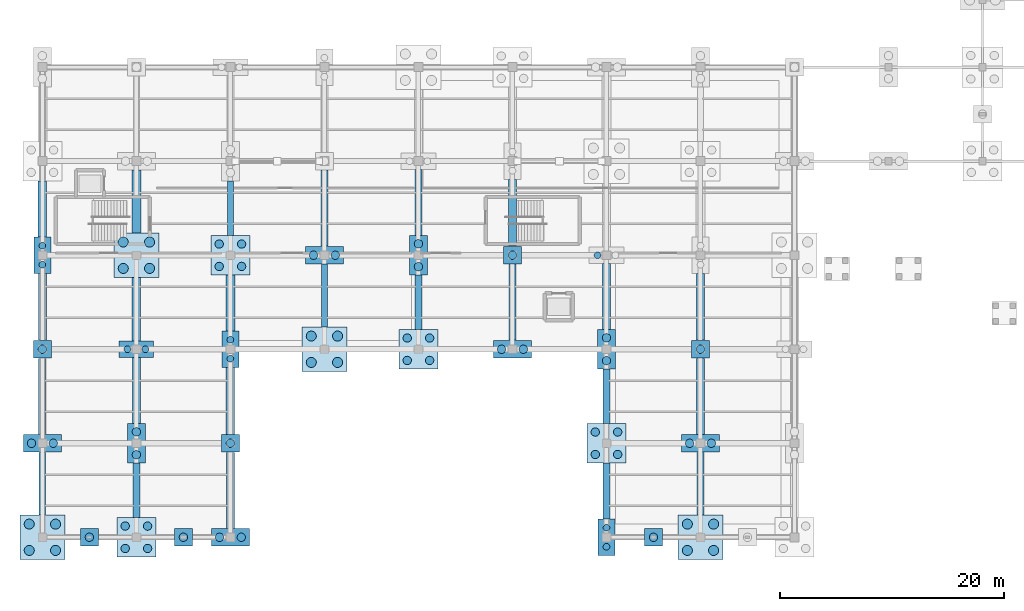
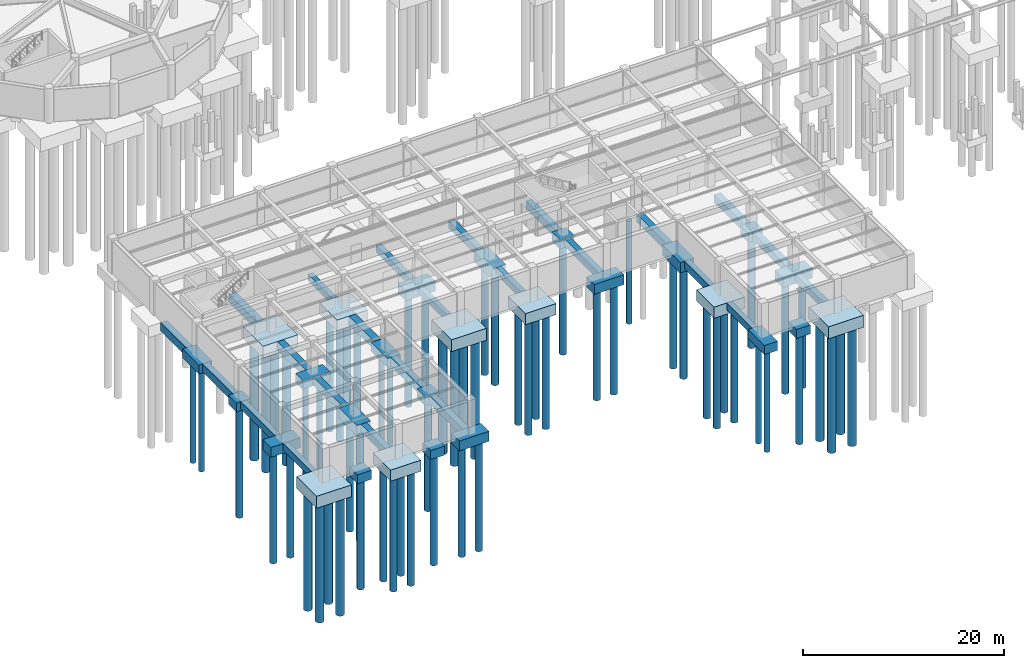
# One storey, part 1 of 38: 64 piles, 51 footings.
"""IFC4 building model written with IfcOpenShell, lengths in metres."""

import ifcopenshell
import ifcopenshell.guid

model = None  # the IFC model being written
_history = None  # IfcOwnerHistory: only IFC2X3 demands one
_inside = {}  # id of a spatial element -> (the spatial element, [elements in it])
_under = {}  # id of a project, library or spatial element -> (it, [spatial elements below it])
_declared = {}  # id of a project -> (the project, [libraries it declares])
_typed = {}  # id of a type object -> (the type object, [elements of that type])
_made_of = {}  # id of a material, layer set ... -> (it, [elements and type objects made of it])


def new_model(schema):
    """Start an empty IFC model of exactly this schema.

    Asked for "IFC4X3", IfcOpenShell would pick the latest addendum, in which some entities
    have other attributes; the version numbers below select the first issue.
    IFC2X3 requires an IfcOwnerHistory on every rooted entity: one is made here for all.
    """
    global model, _history
    if schema == "IFC4X3":
        model = ifcopenshell.file(schema_version=(4, 3, 0, 0))
    else:
        model = ifcopenshell.file(schema=schema)
    _inside.clear()
    _under.clear()
    _declared.clear()
    _typed.clear()
    _made_of.clear()
    _history = None
    if model.schema == "IFC2X3":
        org = make("IfcOrganization", Name="unknown")
        user = make(
            "IfcPersonAndOrganization",
            ThePerson=make("IfcPerson", FamilyName="unknown"),
            TheOrganization=org,
        )
        app = make(
            "IfcApplication",
            ApplicationDeveloper=org,
            Version="unknown",
            ApplicationFullName="unknown",
            ApplicationIdentifier="unknown",
        )
        _history = make(
            "IfcOwnerHistory",
            OwningUser=user,
            OwningApplication=app,
            ChangeAction="ADDED",
            CreationDate=0,
        )
    return model


def make(cls, **values):
    """One entity of the class cls with the attributes given. An attribute that is None is left unset."""
    return model.create_entity(
        cls, **{name: value for name, value in values.items() if value is not None}
    )


def rooted(cls, **values):
    """An entity with a GlobalId (a new one), such as an element, a storey or a relation."""
    return make(cls, GlobalId=ifcopenshell.guid.new(), OwnerHistory=_history, **values)


def si_unit(unit_type, name, prefix=None):
    """IfcSIUnit, for example si_unit("LENGTHUNIT", "METRE", prefix="MILLI")."""
    return make("IfcSIUnit", UnitType=unit_type, Prefix=prefix, Name=name)


def assignment(units):
    """IfcUnitAssignment: the units of a project."""
    return None if units is None else make("IfcUnitAssignment", Units=units)


def point(xyz):
    """IfcCartesianPoint."""
    return None if xyz is None else make("IfcCartesianPoint", Coordinates=xyz)


def direction(xyz):
    """IfcDirection."""
    return None if xyz is None else make("IfcDirection", DirectionRatios=xyz)


def frame(location, z_axis=None, x_axis=None):
    """IfcAxis2Placement3D, a coordinate frame: its origin and axes. An axis left out is left unset."""
    return make(
        "IfcAxis2Placement3D",
        Location=point(location),
        Axis=direction(z_axis),
        RefDirection=direction(x_axis),
    )


def frame_2d(location, x_axis=None):
    """IfcAxis2Placement2D, a coordinate frame in the plane: its origin and x axis."""
    return make(
        "IfcAxis2Placement2D", Location=point(location), RefDirection=direction(x_axis)
    )


def origin():
    """The frame at (0, 0, 0) with its axes left unset."""
    return frame((0.0, 0.0, 0.0))


def origin_2d():
    """The frame at (0, 0) in the plane with its x axis left unset."""
    return frame_2d((0.0, 0.0))


def place(relative_to, where):
    """IfcLocalPlacement: puts the frame where relative to a parent placement (None: the world)."""
    return make(
        "IfcLocalPlacement", PlacementRelTo=relative_to, RelativePlacement=where
    )


def context(
    kind, dimensions, precision=None, world=None, true_north=None, identifier=None
):
    """IfcGeometricRepresentationContext, for example the 3D "Model" context."""
    return make(
        "IfcGeometricRepresentationContext",
        ContextIdentifier=identifier,
        ContextType=kind,
        CoordinateSpaceDimension=dimensions,
        Precision=precision,
        WorldCoordinateSystem=world,
        TrueNorth=true_north,
    )


def subcontext(parent, identifier, kind, view, scale=None):
    """IfcGeometricRepresentationSubContext, for example "Body" below "Model"."""
    return make(
        "IfcGeometricRepresentationSubContext",
        ContextIdentifier=identifier,
        ContextType=kind,
        ParentContext=parent,
        TargetScale=scale,
        TargetView=view,
    )


def project(units=None, contexts=None):
    """IfcProject with its units and contexts."""
    return rooted(
        "IfcProject",
        Name="project",
        RepresentationContexts=contexts,
        UnitsInContext=assignment(units),
    )


def spatial(cls, under=None, at=None, **own):
    """A site, building, storey or space (cls), placed at a placement, below another one or the project."""
    s = rooted(cls, ObjectPlacement=at, **own)
    if under is not None:
        _under.setdefault(under.id(), (under, []))[1].append(s)
    return s


def polyline(points):
    """IfcPolyline through the points."""
    return make("IfcPolyline", Points=[point(p) for p in points])


def profile(cls, at=None, kind="AREA", **sizes):
    """A parametric profile (cls). Its sizes go by their IFC names, for example OverallWidth=200.0."""
    return make(cls, ProfileType=kind, Position=at, **sizes)


def rectangle(**sizes):
    """IfcRectangleProfileDef."""
    return profile("IfcRectangleProfileDef", **sizes)


def circle(**sizes):
    """IfcCircleProfileDef."""
    return profile("IfcCircleProfileDef", **sizes)


def outline(outer, holes=None, kind="AREA"):
    """IfcArbitraryClosedProfileDef: a profile drawn as a closed curve; with holes, ...WithVoids."""
    if holes is None:
        return make("IfcArbitraryClosedProfileDef", ProfileType=kind, OuterCurve=outer)
    return make(
        "IfcArbitraryProfileDefWithVoids",
        ProfileType=kind,
        OuterCurve=outer,
        InnerCurves=holes,
    )


def extrude(swept, where, along, depth):
    """IfcExtrudedAreaSolid: the profile swept, set in the frame where, extruded along a direction by depth."""
    return make(
        "IfcExtrudedAreaSolid",
        SweptArea=swept,
        Position=where,
        ExtrudedDirection=direction(along),
        Depth=depth,
    )


def shape(context_of_items, identifier, shape_type, items):
    """IfcShapeRepresentation: the items that make up one representation, for example the "Body"."""
    return make(
        "IfcShapeRepresentation",
        ContextOfItems=context_of_items,
        RepresentationIdentifier=identifier,
        RepresentationType=shape_type,
        Items=items,
    )


def material(Name=None, Category=None):
    """IfcMaterial."""
    return make("IfcMaterial", Name=Name, Category=Category)


def material_profile(
    of_material, cross_section, Name=None, Category=None, Priority=None
):
    """IfcMaterialProfile: a cross section and its material."""
    return make(
        "IfcMaterialProfile",
        Name=Name,
        Material=of_material,
        Profile=cross_section,
        Priority=Priority,
        Category=Category,
    )


def profile_set(profiles, Name=None, composite=None):
    """IfcMaterialProfileSet."""
    return make(
        "IfcMaterialProfileSet",
        Name=Name,
        MaterialProfiles=profiles,
        CompositeProfile=composite,
    )


def made_of(thing, what):
    """Note that an element or type object is made of a material, layer set ...; save() writes the relation."""
    if what is not None:
        _made_of.setdefault(what.id(), (what, []))[1].append(thing)
    return thing


def type_object(cls, material=None, **own):
    """A type object (cls), such as IfcWallType, which elements share."""
    return made_of(rooted(cls, **own), material)


def element(
    cls,
    number,
    at=None,
    inside=None,
    cuts=None,
    type_object=None,
    material=None,
    context=None,
    identifier="Body",
    shape_type=None,
    held_by="IfcProductDefinitionShape",
    body=None,
    shapes=None,
    **own,
):
    """One element of the class cls, such as IfcWall. Its Tag is "e" and its number.

    at: its placement. inside: the storey or other place that contains it. cuts: it is an
    opening in that element (IfcRelVoidsElement). A single representation is given by context,
    identifier, shape_type and body (its items); several are given by shapes. held_by: the class
    of the entity that holds the representations. save() writes the other relations.
    """
    e = rooted(cls, Tag="e%d" % number, ObjectPlacement=at, **own)
    if body is not None:
        shapes = [shape(context, identifier, shape_type, body)]
    if shapes is not None:
        e.Representation = make(held_by, Representations=shapes)
    if inside is not None:
        _inside.setdefault(inside.id(), (inside, []))[1].append(e)
    if cuts is not None:
        rooted(
            "IfcRelVoidsElement", RelatingBuildingElement=cuts, RelatedOpeningElement=e
        )
    if type_object is not None:
        _typed.setdefault(type_object.id(), (type_object, []))[1].append(e)
    return made_of(e, material)


def aggregate(whole, parts):
    """IfcRelAggregates: a whole, such as a stair, and the parts it consists of."""
    return rooted("IfcRelAggregates", RelatingObject=whole, RelatedObjects=parts)


def save(model, path):
    """Write the relations noted so far, then the file.

    IfcRelAggregates (storeys below a building ...), IfcRelContainedInSpatialStructure (elements
    in a storey), IfcRelDefinesByType, IfcRelAssociatesMaterial and IfcRelDeclares: one each for
    every whole, place, type object, material and project.
    """
    for whole, parts in _under.values():
        aggregate(whole, parts)
    for where, things in _inside.values():
        rooted(
            "IfcRelContainedInSpatialStructure",
            RelatedElements=things,
            RelatingStructure=where,
        )
    for kind, things in _typed.values():
        rooted("IfcRelDefinesByType", RelatedObjects=things, RelatingType=kind)
    for what, things in _made_of.values():
        rooted("IfcRelAssociatesMaterial", RelatedObjects=things, RelatingMaterial=what)
    for by, libraries in _declared.values():
        rooted("IfcRelDeclares", RelatingContext=by, RelatedDefinitions=libraries)
    model.write(path)


model = new_model("IFC4")

# Units and contexts
model_context = context("Model", 3, precision=1e-05, world=origin(), true_north=direction((0.0, 1.0)))
body_context = subcontext(model_context, "Body", "Model", "MODEL_VIEW")
ifc_project = project(units=[si_unit("LENGTHUNIT", "METRE"), si_unit("AREAUNIT", "SQUARE_METRE"), si_unit("VOLUMEUNIT", "CUBIC_METRE"), si_unit("PLANEANGLEUNIT", "RADIAN"), si_unit("MASSUNIT", "GRAM", prefix="KILO"), si_unit("THERMODYNAMICTEMPERATUREUNIT", "KELVIN"), si_unit("POWERUNIT", "WATT")], contexts=[model_context])

# Site, building, storey
site_placement = place(None, origin())
site = spatial("IfcSite", under=ifc_project, at=site_placement, CompositionType="ELEMENT")
building_placement = place(site_placement, origin())
building = spatial("IfcBuilding", under=site, at=building_placement, Name="Darbajah Civic Hall", CompositionType="ELEMENT")
storey_placement = place(building_placement, frame((0.0, 0.0, -4.199951171875)))
storey = spatial("IfcBuildingStorey", under=building, at=storey_placement, Name="B01", CompositionType="ELEMENT", Elevation=-4.199951171875)

# Piles
ifc_material = material(Name="Concrete C45/55", Category="concrete")
ifc_material_profile_1 = material_profile(ifc_material, circle(Radius=0.300048828125, at=origin_2d()), Name="BORED PILE D600")
ifc_profile_set_1 = profile_set([ifc_material_profile_1], Name="Concrete C45/55")
pile_type_1 = type_object("IfcPileType", Name="BORED PILE D600", PredefinedType="BORED", material=ifc_profile_set_1)
for number, where, z_axis, x_axis, name in (
    (1, (0.0, 24.35009765625, -1.0), (0.0, 0.0, -1.0), (1.0, 0.0, 0.0), "B01 bored pile P-600 V5-00-03-1"),
    (2, (0.0, 26.050048828125, -1.0), (0.0, 0.0, -1.0), (1.0, 0.0, 0.0), "B01 bored pile P-600 V5-00-03-2"),
    (3, (7.60009765625, 16.800048828125, -0.949951171875), (0.0, 0.0, -1.0), (1.0, 0.0, 0.0), "B01 bored pile P-600 V5-01-02-1"),
    (4, (9.199951171875, 16.800048828125, -0.949951171875), (0.0, 0.0, -1.0), (1.0, 0.0, 0.0), "B01 bored pile P-600 V5-01-02-2"),
    (5, (16.800048828125, 15.949951171875, -1.0), (0.0, 0.0, -1.0), (1.0, 0.0, 0.0), "B01 bored pile P-600 V5-02-02-1"),
    (6, (16.800048828125, 17.64990234375, -1.0), (0.0, 0.0, -1.0), (1.0, 0.0, 0.0), "B01 bored pile P-600 V5-02-02-2"),
    (7, (50.39990234375, -0.85009765625, -1.0), (0.0, 0.0, -1.0), (1.0, 0.0, 0.0), "B01 bored pile P-600 V5-06-00-1"),
    (8, (50.39990234375, 0.85009765625, -1.0), (0.0, 0.0, -1.0), (1.0, 0.0, 0.0), "B01 bored pile P-600 V5-06-00-2"),
    (9, (49.60009765625, 25.199951171875, -0.949951171875), (0.0, 0.0, -1.0), (1.0, 0.0, 0.0), "B01 bored pile P-600 V5-06-03-1"),
):
    element("IfcPile", number, at=place(storey_placement, frame(where, z_axis=z_axis, x_axis=x_axis)), inside=storey, type_object=pile_type_1, Name=name, PredefinedType="BORED", context=body_context, shape_type="SweptSolid", body=[
        extrude(circle(Radius=0.300048828125, at=origin_2d()), origin(), (0.0, 0.0, 1.0), 12.5),
    ])
ifc_material_profile_2 = material_profile(ifc_material, circle(Radius=0.375, at=origin_2d()), Name="BORED PILE D750")
ifc_profile_set_2 = profile_set([ifc_material_profile_2], Name="Concrete C45/55")
pile_type_2 = type_object("IfcPileType", Name="BORED PILE D750", PredefinedType="BORED", material=ifc_profile_set_2)
for number, where, z_axis, x_axis, name in (
    (10, (-0.97509765625, 8.39990234375, -1.10009765625), (0.0, 0.0, -1.0), (1.0, 0.0, 0.0), "B01 bored pile P-750 V5-00-01-1"),
    (11, (0.97509765625, 8.39990234375, -1.10009765625), (0.0, 0.0, -1.0), (1.0, 0.0, 0.0), "B01 bored pile P-750 V5-00-01-2"),
    (12, (0.0, 16.800048828125, -1.0), (0.0, 0.0, -1.0), (1.0, 0.0, 0.0), "B01 bored pile P-750 V5-00-02-1"),
):
    element("IfcPile", number, at=place(storey_placement, frame(where, z_axis=z_axis, x_axis=x_axis)), inside=storey, type_object=pile_type_2, Name=name, PredefinedType="BORED", context=body_context, shape_type="SweptSolid", body=[
        extrude(circle(Radius=0.375, at=origin_2d()), origin(), (0.0, 0.0, 1.0), 13.5),
    ])
for number, where, z_axis, x_axis, name in (
    (13, (7.39990234375, -1.0, -1.25), (0.0, 0.0, -1.0), (1.0, 0.0, 0.0), "B01 bored pile P-750 V5-01-00-1"),
    (14, (9.39990234375, -1.0, -1.25), (0.0, 0.0, -1.0), (1.0, 0.0, 0.0), "B01 bored pile P-750 V5-01-00-2"),
    (15, (7.39990234375, 1.0, -1.25), (0.0, 0.0, -1.0), (1.0, 0.0, 0.0), "B01 bored pile P-750 V5-01-00-3"),
    (16, (9.39990234375, 1.0, -1.25), (0.0, 0.0, -1.0), (1.0, 0.0, 0.0), "B01 bored pile P-750 V5-01-00-4"),
):
    element("IfcPile", number, at=place(storey_placement, frame(where, z_axis=z_axis, x_axis=x_axis)), inside=storey, type_object=pile_type_2, Name=name, PredefinedType="BORED", context=body_context, shape_type="SweptSolid", body=[
        extrude(circle(Radius=0.375, at=origin_2d()), origin(), (0.0, 0.0, 1.0), 14.0),
    ])
for number, where, z_axis, x_axis, name in (
    (17, (8.39990234375, 7.375, -1.150146484375), (0.0, 0.0, -1.0), (1.0, 0.0, 0.0), "B01 bored pile P-750 V5-01-01-1"),
    (18, (8.39990234375, 9.425048828125, -1.150146484375), (0.0, 0.0, -1.0), (1.0, 0.0, 0.0), "B01 bored pile P-750 V5-01-01-2"),
    (19, (15.824951171875, 0.0, -1.10009765625), (0.0, 0.0, -1.0), (1.0, 0.0, 0.0), "B01 bored pile P-750 V5-02-00-1"),
    (20, (17.77490234375, 0.0, -1.10009765625), (0.0, 0.0, -1.0), (1.0, 0.0, 0.0), "B01 bored pile P-750 V5-02-00-2"),
    (21, (16.800048828125, 8.39990234375, -1.0), (0.0, 0.0, -1.0), (1.0, 0.0, 0.0), "B01 bored pile P-750 V5-02-01-1"),
):
    element("IfcPile", number, at=place(storey_placement, frame(where, z_axis=z_axis, x_axis=x_axis)), inside=storey, type_object=pile_type_2, Name=name, PredefinedType="BORED", context=body_context, shape_type="SweptSolid", body=[
        extrude(circle(Radius=0.375, at=origin_2d()), origin(), (0.0, 0.0, 1.0), 13.5),
    ])
for number, where, z_axis, x_axis, name in (
    (22, (15.800048828125, 24.199951171875, -1.25), (0.0, 0.0, -1.0), (1.0, 0.0, 0.0), "B01 bored pile P-750 V5-02-03-1"),
    (23, (17.800048828125, 24.199951171875, -1.25), (0.0, 0.0, -1.0), (1.0, 0.0, 0.0), "B01 bored pile P-750 V5-02-03-2"),
    (24, (15.800048828125, 26.199951171875, -1.25), (0.0, 0.0, -1.0), (1.0, 0.0, 0.0), "B01 bored pile P-750 V5-02-03-3"),
    (25, (17.800048828125, 26.199951171875, -1.25), (0.0, 0.0, -1.0), (1.0, 0.0, 0.0), "B01 bored pile P-750 V5-02-03-4"),
):
    element("IfcPile", number, at=place(storey_placement, frame(where, z_axis=z_axis, x_axis=x_axis)), inside=storey, type_object=pile_type_2, Name=name, PredefinedType="BORED", context=body_context, shape_type="SweptSolid", body=[
        extrude(circle(Radius=0.375, at=origin_2d()), origin(), (0.0, 0.0, 1.0), 14.0),
    ])
for number, where, z_axis, x_axis, name in (
    (26, (24.22509765625, 25.199951171875, -1.10009765625), (0.0, 0.0, -1.0), (1.0, 0.0, 0.0), "B01 bored pile P-750 V5-03-03-1"),
    (27, (26.175048828125, 25.199951171875, -1.10009765625), (0.0, 0.0, -1.0), (1.0, 0.0, 0.0), "B01 bored pile P-750 V5-03-03-2"),
):
    element("IfcPile", number, at=place(storey_placement, frame(where, z_axis=z_axis, x_axis=x_axis)), inside=storey, type_object=pile_type_2, Name=name, PredefinedType="BORED", context=body_context, shape_type="SweptSolid", body=[
        extrude(circle(Radius=0.375, at=origin_2d()), origin(), (0.0, 0.0, 1.0), 13.5),
    ])
for number, where, z_axis, x_axis, name in (
    (28, (32.60009765625, 15.800048828125, -1.25), (0.0, 0.0, -1.0), (1.0, 0.0, 0.0), "B01 bored pile P-750 V5-04-02-1"),
    (29, (34.60009765625, 15.800048828125, -1.25), (0.0, 0.0, -1.0), (1.0, 0.0, 0.0), "B01 bored pile P-750 V5-04-02-2"),
    (30, (32.60009765625, 17.800048828125, -1.25), (0.0, 0.0, -1.0), (1.0, 0.0, 0.0), "B01 bored pile P-750 V5-04-02-3"),
    (31, (34.60009765625, 17.800048828125, -1.25), (0.0, 0.0, -1.0), (1.0, 0.0, 0.0), "B01 bored pile P-750 V5-04-02-4"),
):
    element("IfcPile", number, at=place(storey_placement, frame(where, z_axis=z_axis, x_axis=x_axis)), inside=storey, type_object=pile_type_2, Name=name, PredefinedType="BORED", context=body_context, shape_type="SweptSolid", body=[
        extrude(circle(Radius=0.375, at=origin_2d()), origin(), (0.0, 0.0, 1.0), 14.0),
    ])
for number, where, z_axis, x_axis, name in (
    (32, (33.60009765625, 24.175048828125, -1.150146484375), (0.0, 0.0, -1.0), (1.0, 0.0, 0.0), "B01 bored pile P-750 V5-04-03-1"),
    (33, (33.60009765625, 26.22509765625, -1.150146484375), (0.0, 0.0, -1.0), (1.0, 0.0, 0.0), "B01 bored pile P-750 V5-04-03-2"),
    (34, (41.02490234375, 16.800048828125, -1.10009765625), (0.0, 0.0, -1.0), (1.0, 0.0, 0.0), "B01 bored pile P-750 V5-05-02-1"),
    (35, (42.97509765625, 16.800048828125, -1.10009765625), (0.0, 0.0, -1.0), (1.0, 0.0, 0.0), "B01 bored pile P-750 V5-05-02-2"),
    (36, (42.0, 25.199951171875, -1.0), (0.0, 0.0, -1.0), (1.0, 0.0, 0.0), "B01 bored pile P-750 V5-05-03-1"),
):
    element("IfcPile", number, at=place(storey_placement, frame(where, z_axis=z_axis, x_axis=x_axis)), inside=storey, type_object=pile_type_2, Name=name, PredefinedType="BORED", context=body_context, shape_type="SweptSolid", body=[
        extrude(circle(Radius=0.375, at=origin_2d()), origin(), (0.0, 0.0, 1.0), 13.5),
    ])
for number, where, z_axis, x_axis, name in (
    (37, (49.39990234375, 7.39990234375, -1.25), (0.0, 0.0, -1.0), (1.0, 0.0, 0.0), "B01 bored pile P-750 V5-06-01-1"),
    (38, (51.39990234375, 7.39990234375, -1.25), (0.0, 0.0, -1.0), (1.0, 0.0, 0.0), "B01 bored pile P-750 V5-06-01-2"),
    (39, (49.39990234375, 9.39990234375, -1.25), (0.0, 0.0, -1.0), (1.0, 0.0, 0.0), "B01 bored pile P-750 V5-06-01-3"),
    (40, (51.39990234375, 9.39990234375, -1.25), (0.0, 0.0, -1.0), (1.0, 0.0, 0.0), "B01 bored pile P-750 V5-06-01-4"),
):
    element("IfcPile", number, at=place(storey_placement, frame(where, z_axis=z_axis, x_axis=x_axis)), inside=storey, type_object=pile_type_2, Name=name, PredefinedType="BORED", context=body_context, shape_type="SweptSolid", body=[
        extrude(circle(Radius=0.375, at=origin_2d()), origin(), (0.0, 0.0, 1.0), 14.0),
    ])
for number, where, z_axis, x_axis, name in (
    (41, (50.39990234375, 15.77490234375, -1.150146484375), (0.0, 0.0, -1.0), (1.0, 0.0, 0.0), "B01 bored pile P-750 V5-06-02-1"),
    (42, (50.39990234375, 17.824951171875, -1.150146484375), (0.0, 0.0, -1.0), (1.0, 0.0, 0.0), "B01 bored pile P-750 V5-06-02-2"),
    (43, (57.824951171875, 8.39990234375, -1.10009765625), (0.0, 0.0, -1.0), (1.0, 0.0, 0.0), "B01 bored pile P-750 V5-07-01-1"),
    (44, (59.77490234375, 8.39990234375, -1.10009765625), (0.0, 0.0, -1.0), (1.0, 0.0, 0.0), "B01 bored pile P-750 V5-07-01-2"),
    (45, (58.800048828125, 16.800048828125, -1.0), (0.0, 0.0, -1.0), (1.0, 0.0, 0.0), "B01 bored pile P-750 V5-07-02-1"),
    (46, (4.199951171875, 0.0, -1.0), (0.0, 0.0, -1.0), (1.0, 0.0, 0.0), "B01 bored pile PIL-V5S-1"),
    (47, (12.60009765625, 0.0, -1.0), (0.0, 0.0, -1.0), (1.0, 0.0, 0.0), "B01 bored pile PIL-V5S-2"),
    (48, (54.60009765625, 0.0, -1.0), (0.0, 0.0, -1.0), (1.0, 0.0, 0.0), "B01 bored pile PIL-V5S-3"),
):
    element("IfcPile", number, at=place(storey_placement, frame(where, z_axis=z_axis, x_axis=x_axis)), inside=storey, type_object=pile_type_2, Name=name, PredefinedType="BORED", context=body_context, shape_type="SweptSolid", body=[
        extrude(circle(Radius=0.375, at=origin_2d()), origin(), (0.0, 0.0, 1.0), 13.5),
    ])
ifc_material_profile_3 = material_profile(ifc_material, circle(Radius=0.449951171875, at=origin_2d()), Name="BORED PILE D900")
ifc_profile_set_3 = profile_set([ifc_material_profile_3], Name="Concrete C45/55")
pile_type_3 = type_object("IfcPileType", Name="BORED PILE D900", PredefinedType="BORED", material=ifc_profile_set_3)
for number, where, z_axis, x_axis, name in (
    (49, (-1.175048828125, -1.175048828125, -1.35009765625), (0.0, 0.0, -1.0), (1.0, 0.0, 0.0), "B01 bored pile P-900 V5-00-00-1"),
    (50, (1.175048828125, -1.175048828125, -1.35009765625), (0.0, 0.0, -1.0), (1.0, 0.0, 0.0), "B01 bored pile P-900 V5-00-00-2"),
    (51, (-1.175048828125, 1.175048828125, -1.35009765625), (0.0, 0.0, -1.0), (1.0, 0.0, 0.0), "B01 bored pile P-900 V5-00-00-3"),
    (52, (1.175048828125, 1.175048828125, -1.35009765625), (0.0, 0.0, -1.0), (1.0, 0.0, 0.0), "B01 bored pile P-900 V5-00-00-4"),
    (53, (7.22509765625, 24.02490234375, -1.35009765625), (0.0, 0.0, -1.0), (1.0, 0.0, 0.0), "B01 bored pile P-900 V5-01-03-1"),
    (54, (9.574951171875, 24.02490234375, -1.35009765625), (0.0, 0.0, -1.0), (1.0, 0.0, 0.0), "B01 bored pile P-900 V5-01-03-2"),
    (55, (7.22509765625, 26.375, -1.35009765625), (0.0, 0.0, -1.0), (1.0, 0.0, 0.0), "B01 bored pile P-900 V5-01-03-3"),
    (56, (9.574951171875, 26.375, -1.35009765625), (0.0, 0.0, -1.0), (1.0, 0.0, 0.0), "B01 bored pile P-900 V5-01-03-4"),
    (57, (24.02490234375, 15.625, -1.35009765625), (0.0, 0.0, -1.0), (1.0, 0.0, 0.0), "B01 bored pile P-900 V5-03-02-1"),
    (58, (26.375, 15.625, -1.35009765625), (0.0, 0.0, -1.0), (1.0, 0.0, 0.0), "B01 bored pile P-900 V5-03-02-2"),
    (59, (24.02490234375, 17.97509765625, -1.35009765625), (0.0, 0.0, -1.0), (1.0, 0.0, 0.0), "B01 bored pile P-900 V5-03-02-3"),
    (60, (26.375, 17.97509765625, -1.35009765625), (0.0, 0.0, -1.0), (1.0, 0.0, 0.0), "B01 bored pile P-900 V5-03-02-4"),
    (61, (57.625, -1.175048828125, -1.35009765625), (0.0, 0.0, -1.0), (1.0, 0.0, 0.0), "B01 bored pile P-900 V5-07-00-1"),
    (62, (59.97509765625, -1.175048828125, -1.35009765625), (0.0, 0.0, -1.0), (1.0, 0.0, 0.0), "B01 bored pile P-900 V5-07-00-2"),
    (63, (57.625, 1.175048828125, -1.35009765625), (0.0, 0.0, -1.0), (1.0, 0.0, 0.0), "B01 bored pile P-900 V5-07-00-3"),
    (64, (59.97509765625, 1.175048828125, -1.35009765625), (0.0, 0.0, -1.0), (1.0, 0.0, 0.0), "B01 bored pile P-900 V5-07-00-4"),
):
    element("IfcPile", number, at=place(storey_placement, frame(where, z_axis=z_axis, x_axis=x_axis)), inside=storey, type_object=pile_type_3, Name=name, PredefinedType="BORED", context=body_context, shape_type="SweptSolid", body=[
        extrude(circle(Radius=0.449951171875, at=origin_2d()), origin(), (0.0, 0.0, 1.0), 14.5),
    ])

# Footings
footing_type_1 = type_object("IfcFootingType", Name="Ground Strip Footing 550x800", PredefinedType="STRIP_FOOTING", material=ifc_material)
footing_1_placement = place(storey_placement, frame((0.0, 0.0, -0.800048828125)))
element("IfcFooting", 65, at=footing_1_placement, inside=storey, type_object=footing_type_1, Name="B01 ground strip footing SF-06", PredefinedType="STRIP_FOOTING", context=body_context, shape_type="SweptSolid", body=[
    extrude(outline(polyline([(17.074951171875, 26.955078125), (17.074951171875, 31.820068359375), (16.52490234375, 31.820068359375), (16.52490234375, 26.955078125), (17.074951171875, 26.955078125)])), origin(), (0.0, 0.0, 1.0), 0.800048828125),
])
footing_2_placement = place(storey_placement, frame((0.0, 0.0, -0.800048828125)))
element("IfcFooting", 66, at=footing_2_placement, inside=storey, type_object=footing_type_1, Name="B01 ground strip footing SF-06", PredefinedType="STRIP_FOOTING", context=body_context, shape_type="SweptSolid", body=[
    extrude(outline(polyline([(25.47509765625, 18.804931640625), (25.47509765625, 24.39501953125), (24.925048828125, 24.39501953125), (24.925048828125, 18.804931640625), (25.47509765625, 18.804931640625)])), origin(), (0.0, 0.0, 1.0), 0.800048828125),
])
footing_type_2 = type_object("IfcFootingType", Name="Ground Strip Footing 600x850", PredefinedType="STRIP_FOOTING", material=ifc_material)
footing_3_placement = place(storey_placement, frame((0.0, 0.0, -0.85009765625)))
element("IfcFooting", 67, at=footing_3_placement, inside=storey, type_object=footing_type_2, Name="B01 ground strip footing SF-01", PredefinedType="STRIP_FOOTING", context=body_context, shape_type="SweptSolid", body=[
    extrude(outline(polyline([(0.300048828125, 2.0048828125), (0.300048828125, 7.594970703125), (-0.300048828125, 7.594970703125), (-0.300048828125, 2.0048828125), (0.300048828125, 2.0048828125)])), origin(), (0.0, 0.0, 1.0), 0.85009765625),
])
footing_4_placement = place(storey_placement, frame((0.0, 0.0, -0.85009765625)))
element("IfcFooting", 68, at=footing_4_placement, inside=storey, type_object=footing_type_2, Name="B01 ground strip footing SF-01", PredefinedType="STRIP_FOOTING", context=body_context, shape_type="SweptSolid", body=[
    extrude(outline(polyline([(25.5, 26.0048828125), (25.5, 32.794921875), (24.89990234375, 32.794921875), (24.89990234375, 26.0048828125), (25.5, 26.0048828125)])), origin(), (0.0, 0.0, 1.0), 0.85009765625),
])
footing_5_placement = place(storey_placement, frame((0.0, 0.0, -0.85009765625)))
element("IfcFooting", 69, at=footing_5_placement, inside=storey, type_object=footing_type_2, Name="B01 ground strip footing SF-01", PredefinedType="STRIP_FOOTING", context=body_context, shape_type="SweptSolid", body=[
    extrude(outline(polyline([(33.89990234375, 18.554931640625), (33.89990234375, 23.419921875), (33.300048828125, 23.419921875), (33.300048828125, 18.554931640625), (33.89990234375, 18.554931640625)])), origin(), (0.0, 0.0, 1.0), 0.85009765625),
])
footing_6_placement = place(storey_placement, frame((0.0, 0.0, -0.85009765625)))
element("IfcFooting", 70, at=footing_6_placement, inside=storey, type_object=footing_type_2, Name="B01 ground strip footing SF-01", PredefinedType="STRIP_FOOTING", context=body_context, shape_type="SweptSolid", body=[
    extrude(outline(polyline([(50.699951171875, 1.6298828125), (50.699951171875, 6.64501953125), (50.10009765625, 6.64501953125), (50.10009765625, 1.6298828125), (50.699951171875, 1.6298828125)])), origin(), (0.0, 0.0, 1.0), 0.85009765625),
])
footing_type_3 = type_object("IfcFootingType", Name="Ground Strip Footing 650x900", PredefinedType="STRIP_FOOTING", material=ifc_material)
footing_7_placement = place(storey_placement, frame((0.0, 0.0, -0.900146484375)))
element("IfcFooting", 71, at=footing_7_placement, inside=storey, type_object=footing_type_3, Name="B01 ground strip footing SF-02", PredefinedType="STRIP_FOOTING", context=body_context, shape_type="SweptSolid", body=[
    extrude(outline(polyline([(0.324951171875, 9.205078125), (0.324951171875, 15.9951171875), (-0.324951171875, 15.9951171875), (-0.324951171875, 9.205078125), (0.324951171875, 9.205078125)])), origin(), (0.0, 0.0, 1.0), 0.900146484375),
])
footing_8_placement = place(storey_placement, frame((0.0, 0.0, -0.900146484375)))
element("IfcFooting", 72, at=footing_8_placement, inside=storey, type_object=footing_type_3, Name="B01 ground strip footing SF-02", PredefinedType="STRIP_FOOTING", context=body_context, shape_type="SweptSolid", body=[
    extrude(outline(polyline([(8.72509765625, 1.7548828125), (8.72509765625, 6.6201171875), (8.074951171875, 6.6201171875), (8.074951171875, 1.7548828125), (8.72509765625, 1.7548828125)])), origin(), (0.0, 0.0, 1.0), 0.900146484375),
])
footing_9_placement = place(storey_placement, frame((0.0, 0.0, -0.900146484375)))
element("IfcFooting", 73, at=footing_9_placement, inside=storey, type_object=footing_type_3, Name="B01 ground strip footing SF-02", PredefinedType="STRIP_FOOTING", context=body_context, shape_type="SweptSolid", body=[
    extrude(outline(polyline([(33.925048828125, 26.97998046875), (33.925048828125, 32.8701171875), (33.27490234375, 32.8701171875), (33.27490234375, 26.97998046875), (33.925048828125, 26.97998046875)])), origin(), (0.0, 0.0, 1.0), 0.900146484375),
])
footing_10_placement = place(storey_placement, frame((0.0, 0.0, -0.900146484375)))
element("IfcFooting", 74, at=footing_10_placement, inside=storey, type_object=footing_type_3, Name="B01 ground strip footing SF-02", PredefinedType="STRIP_FOOTING", context=body_context, shape_type="SweptSolid", body=[
    extrude(outline(polyline([(42.324951171875, 17.60498046875), (42.324951171875, 24.39501953125), (41.675048828125, 24.39501953125), (41.675048828125, 17.60498046875), (42.324951171875, 17.60498046875)])), origin(), (0.0, 0.0, 1.0), 0.900146484375),
])
footing_11_placement = place(storey_placement, frame((0.0, 0.0, -0.900146484375)))
element("IfcFooting", 75, at=footing_11_placement, inside=storey, type_object=footing_type_3, Name="B01 ground strip footing SF-02", PredefinedType="STRIP_FOOTING", context=body_context, shape_type="SweptSolid", body=[
    extrude(outline(polyline([(50.72509765625, 10.155029296875), (50.72509765625, 15.02001953125), (50.074951171875, 15.02001953125), (50.074951171875, 10.155029296875), (50.72509765625, 10.155029296875)])), origin(), (0.0, 0.0, 1.0), 0.900146484375),
])
footing_12_placement = place(storey_placement, frame((0.0, 0.0, -0.900146484375)))
element("IfcFooting", 76, at=footing_12_placement, inside=storey, type_object=footing_type_3, Name="B01 ground strip footing SF-02", PredefinedType="STRIP_FOOTING", context=body_context, shape_type="SweptSolid", body=[
    extrude(outline(polyline([(59.125, 2.0048828125), (59.125, 7.594970703125), (58.47509765625, 7.594970703125), (58.47509765625, 2.0048828125), (59.125, 2.0048828125)])), origin(), (0.0, 0.0, 1.0), 0.900146484375),
])
footing_type_4 = type_object("IfcFootingType", Name="Ground Strip Footing 700x950", PredefinedType="STRIP_FOOTING", material=ifc_material)
footing_13_placement = place(storey_placement, frame((0.0, 0.0, -0.949951171875)))
element("IfcFooting", 77, at=footing_13_placement, inside=storey, type_object=footing_type_4, Name="B01 ground strip footing SF-03", PredefinedType="STRIP_FOOTING", context=body_context, shape_type="SweptSolid", body=[
    extrude(outline(polyline([(0.35009765625, 17.60498046875), (0.35009765625, 23.570068359375), (-0.35009765625, 23.570068359375), (-0.35009765625, 17.60498046875), (0.35009765625, 17.60498046875)])), origin(), (0.0, 0.0, 1.0), 0.949951171875),
])
footing_14_placement = place(storey_placement, frame((0.0, 0.0, -0.949951171875)))
element("IfcFooting", 78, at=footing_14_placement, inside=storey, type_object=footing_type_4, Name="B01 ground strip footing SF-03", PredefinedType="STRIP_FOOTING", context=body_context, shape_type="SweptSolid", body=[
    extrude(outline(polyline([(8.75, 10.179931640625), (8.75, 16.070068359375), (8.050048828125, 16.070068359375), (8.050048828125, 10.179931640625), (8.75, 10.179931640625)])), origin(), (0.0, 0.0, 1.0), 0.949951171875),
])
footing_15_placement = place(storey_placement, frame((0.0, 0.0, -0.949951171875)))
element("IfcFooting", 79, at=footing_15_placement, inside=storey, type_object=footing_type_4, Name="B01 ground strip footing SF-03", PredefinedType="STRIP_FOOTING", context=body_context, shape_type="SweptSolid", body=[
    extrude(outline(polyline([(17.14990234375, 0.804931640625), (17.14990234375, 7.594970703125), (16.449951171875, 7.594970703125), (16.449951171875, 0.804931640625), (17.14990234375, 0.804931640625)])), origin(), (0.0, 0.0, 1.0), 0.949951171875),
])
footing_16_placement = place(storey_placement, frame((0.0, 0.0, -0.949951171875)))
element("IfcFooting", 80, at=footing_16_placement, inside=storey, type_object=footing_type_4, Name="B01 ground strip footing SF-03", PredefinedType="STRIP_FOOTING", context=body_context, shape_type="SweptSolid", body=[
    extrude(outline(polyline([(42.35009765625, 26.0048828125), (42.35009765625, 31.969970703125), (41.64990234375, 31.969970703125), (41.64990234375, 26.0048828125), (42.35009765625, 26.0048828125)])), origin(), (0.0, 0.0, 1.0), 0.949951171875),
])
footing_17_placement = place(storey_placement, frame((0.0, 0.0, -0.949951171875)))
element("IfcFooting", 81, at=footing_17_placement, inside=storey, type_object=footing_type_4, Name="B01 ground strip footing SF-03", PredefinedType="STRIP_FOOTING", context=body_context, shape_type="SweptSolid", body=[
    extrude(outline(polyline([(50.75, 18.580078125), (50.75, 24.469970703125), (50.050048828125, 24.469970703125), (50.050048828125, 18.580078125), (50.75, 18.580078125)])), origin(), (0.0, 0.0, 1.0), 0.949951171875),
])
footing_18_placement = place(storey_placement, frame((0.0, 0.0, -0.949951171875)))
element("IfcFooting", 82, at=footing_18_placement, inside=storey, type_object=footing_type_4, Name="B01 ground strip footing SF-03", PredefinedType="STRIP_FOOTING", context=body_context, shape_type="SweptSolid", body=[
    extrude(outline(polyline([(59.14990234375, 9.205078125), (59.14990234375, 15.9951171875), (58.449951171875, 15.9951171875), (58.449951171875, 9.205078125), (59.14990234375, 9.205078125)])), origin(), (0.0, 0.0, 1.0), 0.949951171875),
])
footing_type_5 = type_object("IfcFootingType", Name="Ground Strip Footing 750x1000", PredefinedType="STRIP_FOOTING", material=ifc_material)
footing_19_placement = place(storey_placement, frame((0.0, 0.0, -1.0)))
element("IfcFooting", 83, at=footing_19_placement, inside=storey, type_object=footing_type_5, Name="B01 ground strip footing SF-04", PredefinedType="STRIP_FOOTING", context=body_context, shape_type="SweptSolid", body=[
    extrude(outline(polyline([(0.375, 26.830078125), (0.375, 31.844970703125), (-0.375, 31.844970703125), (-0.375, 26.830078125), (0.375, 26.830078125)])), origin(), (0.0, 0.0, 1.0), 1.0),
])
footing_20_placement = place(storey_placement, frame((0.0, 0.0, -1.0)))
element("IfcFooting", 84, at=footing_20_placement, inside=storey, type_object=footing_type_5, Name="B01 ground strip footing SF-04", PredefinedType="STRIP_FOOTING", context=body_context, shape_type="SweptSolid", body=[
    extrude(outline(polyline([(8.77490234375, 17.530029296875), (8.77490234375, 23.195068359375), (8.02490234375, 23.195068359375), (8.02490234375, 17.530029296875), (8.77490234375, 17.530029296875)])), origin(), (0.0, 0.0, 1.0), 1.0),
])
footing_21_placement = place(storey_placement, frame((0.0, 0.0, -1.0)))
element("IfcFooting", 85, at=footing_21_placement, inside=storey, type_object=footing_type_5, Name="B01 ground strip footing SF-04", PredefinedType="STRIP_FOOTING", context=body_context, shape_type="SweptSolid", body=[
    extrude(outline(polyline([(17.175048828125, 9.205078125), (17.175048828125, 15.169921875), (16.425048828125, 15.169921875), (16.425048828125, 9.205078125), (17.175048828125, 9.205078125)])), origin(), (0.0, 0.0, 1.0), 1.0),
])
footing_22_placement = place(storey_placement, frame((0.0, 0.0, -1.0)))
element("IfcFooting", 86, at=footing_22_placement, inside=storey, type_object=footing_type_5, Name="B01 ground strip footing SF-04", PredefinedType="STRIP_FOOTING", context=body_context, shape_type="SweptSolid", body=[
    extrude(outline(polyline([(59.175048828125, 17.60498046875), (59.175048828125, 23.570068359375), (58.425048828125, 23.570068359375), (58.425048828125, 17.60498046875), (59.175048828125, 17.60498046875)])), origin(), (0.0, 0.0, 1.0), 1.0),
])
footing_type_6 = type_object("IfcFootingType", Name="Ground Strip Footing 800x1050", PredefinedType="STRIP_FOOTING", material=ifc_material)
footing_23_placement = place(storey_placement, frame((0.0, 0.0, -1.050048828125)))
element("IfcFooting", 87, at=footing_23_placement, inside=storey, type_object=footing_type_6, Name="B01 ground strip footing SF-05", PredefinedType="STRIP_FOOTING", context=body_context, shape_type="SweptSolid", body=[
    extrude(outline(polyline([(8.800048828125, 27.205078125), (8.800048828125, 32.794921875), (8.0, 32.794921875), (8.0, 27.205078125), (8.800048828125, 27.205078125)])), origin(), (0.0, 0.0, 1.0), 1.050048828125),
])
footing_24_placement = place(storey_placement, frame((0.0, 0.0, -1.050048828125)))
element("IfcFooting", 88, at=footing_24_placement, inside=storey, type_object=footing_type_6, Name="B01 ground strip footing SF-05", PredefinedType="STRIP_FOOTING", context=body_context, shape_type="SweptSolid", body=[
    extrude(outline(polyline([(17.199951171875, 18.429931640625), (17.199951171875, 23.445068359375), (16.39990234375, 23.445068359375), (16.39990234375, 18.429931640625), (17.199951171875, 18.429931640625)])), origin(), (0.0, 0.0, 1.0), 1.050048828125),
])
footing_type_7 = type_object("IfcFootingType", Name="Pile Cap 1500x3250x1100", PredefinedType="PILE_CAP", material=ifc_material)
for number, where, z_axis, x_axis, name in (
    (89, (0.0, 25.199951171875, -1.10009765625), (0.0, 0.0, 1.0), (1.0, 0.0, 0.0), "B01 pile cap PC-2J at V5-00-03"),
    (90, (16.800048828125, 16.800048828125, -1.10009765625), (0.0, 0.0, 1.0), (1.0, 0.0, 0.0), "B01 pile cap PC-2J at V5-02-02"),
    (91, (50.39990234375, 0.0, -1.10009765625), (0.0, 0.0, 1.0), (1.0, 0.0, 0.0), "B01 pile cap PC-2J at V5-06-00"),
):
    element("IfcFooting", number, at=place(storey_placement, frame(where, z_axis=z_axis, x_axis=x_axis)), inside=storey, type_object=footing_type_7, Name=name, PredefinedType="PILE_CAP", context=body_context, shape_type="SweptSolid", body=[
        extrude(rectangle(XDim=1.5, YDim=3.25, at=origin_2d()), origin(), (0.0, 0.0, 1.0), 1.10009765625),
    ])
footing_type_8 = type_object("IfcFootingType", Name="Pile Cap 1600x1600x1100", PredefinedType="PILE_CAP", material=ifc_material)
for number, where, z_axis, x_axis, name in (
    (92, (0.0, 16.800048828125, -1.10009765625), (0.0, 0.0, 1.0), (1.0, 0.0, 0.0), "B01 pile cap PC-1A at V5-00-02"),
    (93, (16.800048828125, 8.39990234375, -1.10009765625), (0.0, 0.0, 1.0), (1.0, 0.0, 0.0), "B01 pile cap PC-1A at V5-02-01"),
    (94, (42.0, 25.199951171875, -1.10009765625), (0.0, 0.0, 1.0), (1.0, 0.0, 0.0), "B01 pile cap PC-1A at V5-05-03"),
    (95, (58.800048828125, 16.800048828125, -1.10009765625), (0.0, 0.0, 1.0), (1.0, 0.0, 0.0), "B01 pile cap PC-1A at V5-07-02"),
    (96, (4.199951171875, 0.0, -1.10009765625), (0.0, 0.0, 1.0), (1.0, 0.0, 0.0), "B01 pilaster cap PIL-V5S-1"),
    (97, (12.60009765625, 0.0, -1.10009765625), (0.0, 0.0, 1.0), (1.0, 0.0, 0.0), "B01 pilaster cap PIL-V5S-2"),
    (98, (54.60009765625, 0.0, -1.10009765625), (0.0, 0.0, 1.0), (1.0, 0.0, 0.0), "B01 pilaster cap PIL-V5S-3"),
):
    element("IfcFooting", number, at=place(storey_placement, frame(where, z_axis=z_axis, x_axis=x_axis)), inside=storey, type_object=footing_type_8, Name=name, PredefinedType="PILE_CAP", context=body_context, shape_type="SweptSolid", body=[
        extrude(rectangle(XDim=1.60009765625, YDim=1.60009765625, at=origin_2d()), origin(), (0.0, 0.0, 1.0), 1.10009765625),
    ])
footing_type_9 = type_object("IfcFootingType", Name="Pile Cap 1600x3550x1250", PredefinedType="PILE_CAP", material=ifc_material)
for number, where, z_axis, x_axis, name in (
    (99, (8.39990234375, 8.39990234375, -1.25), (0.0, 0.0, 1.0), (1.0, 0.0, 0.0), "B01 pile cap PC-2B at V5-01-01"),
    (100, (33.60009765625, 25.199951171875, -1.25), (0.0, 0.0, 1.0), (1.0, 0.0, 0.0), "B01 pile cap PC-2B at V5-04-03"),
    (101, (50.39990234375, 16.800048828125, -1.25), (0.0, 0.0, 1.0), (1.0, 0.0, 0.0), "B01 pile cap PC-2B at V5-06-02"),
):
    element("IfcFooting", number, at=place(storey_placement, frame(where, z_axis=z_axis, x_axis=x_axis)), inside=storey, type_object=footing_type_9, Name=name, PredefinedType="PILE_CAP", context=body_context, shape_type="SweptSolid", body=[
        extrude(rectangle(XDim=1.60009765625, YDim=3.550048828125, at=origin_2d()), origin(), (0.0, 0.0, 1.0), 1.25),
    ])
footing_type_10 = type_object("IfcFootingType", Name="Pile Cap 3100x1450x1050", PredefinedType="PILE_CAP", material=ifc_material)
footing_25_placement = place(storey_placement, frame((8.39990234375, 16.800048828125, -1.05029296875), z_axis=(0.0, 0.0, 1.0), x_axis=(1.0, 0.0, 0.0)))
element("IfcFooting", 102, at=footing_25_placement, inside=storey, type_object=footing_type_10, Name="B01 pile cap PC-2H at V5-01-02", PredefinedType="PILE_CAP", context=body_context, shape_type="SweptSolid", body=[
    extrude(rectangle(XDim=3.10009765625, YDim=1.449951171875, at=origin_2d()), origin(), (0.0, 0.0, 1.0), 1.050048828125),
])
footing_type_11 = type_object("IfcFootingType", Name="Pile Cap 3400x1600x1200", PredefinedType="PILE_CAP", material=ifc_material)
for number, where, z_axis, x_axis, name in (
    (103, (0.0, 8.39990234375, -1.2001953125), (0.0, 0.0, 1.0), (1.0, 0.0, 0.0), "B01 pile cap PC-2A at V5-00-01"),
    (104, (16.800048828125, 0.0, -1.2001953125), (0.0, 0.0, 1.0), (1.0, 0.0, 0.0), "B01 pile cap PC-2A at V5-02-00"),
    (105, (25.199951171875, 25.199951171875, -1.2001953125), (0.0, 0.0, 1.0), (1.0, 0.0, 0.0), "B01 pile cap PC-2A at V5-03-03"),
    (106, (42.0, 16.800048828125, -1.2001953125), (0.0, 0.0, 1.0), (1.0, 0.0, 0.0), "B01 pile cap PC-2A at V5-05-02"),
    (107, (58.800048828125, 8.39990234375, -1.2001953125), (0.0, 0.0, 1.0), (1.0, 0.0, 0.0), "B01 pile cap PC-2A at V5-07-01"),
):
    element("IfcFooting", number, at=place(storey_placement, frame(where, z_axis=z_axis, x_axis=x_axis)), inside=storey, type_object=footing_type_11, Name=name, PredefinedType="PILE_CAP", context=body_context, shape_type="SweptSolid", body=[
        extrude(rectangle(XDim=3.39990234375, YDim=1.60009765625, at=origin_2d()), origin(), (0.0, 0.0, 1.0), 1.199951171875),
    ])
footing_type_12 = type_object("IfcFootingType", Name="Pile Cap 3500x3500x1350", PredefinedType="PILE_CAP", material=ifc_material)
for number, where, z_axis, x_axis, name in (
    (108, (8.39990234375, 0.0, -1.35009765625), (0.0, 0.0, 1.0), (1.0, 0.0, 0.0), "B01 pile cap PC-4A at V5-01-00"),
    (109, (16.800048828125, 25.199951171875, -1.35009765625), (0.0, 0.0, 1.0), (1.0, 0.0, 0.0), "B01 pile cap PC-4A at V5-02-03"),
    (110, (33.60009765625, 16.800048828125, -1.35009765625), (0.0, 0.0, 1.0), (1.0, 0.0, 0.0), "B01 pile cap PC-4A at V5-04-02"),
    (111, (50.39990234375, 8.39990234375, -1.35009765625), (0.0, 0.0, 1.0), (1.0, 0.0, 0.0), "B01 pile cap PC-4A at V5-06-01"),
):
    element("IfcFooting", number, at=place(storey_placement, frame(where, z_axis=z_axis, x_axis=x_axis)), inside=storey, type_object=footing_type_12, Name=name, PredefinedType="PILE_CAP", context=body_context, shape_type="SweptSolid", body=[
        extrude(rectangle(XDim=3.5, YDim=3.5, at=origin_2d()), origin(), (0.0, 0.0, 1.0), 1.35009765625),
    ])
footing_type_13 = type_object("IfcFootingType", Name="Pile Cap 4000x4000x1450", PredefinedType="PILE_CAP", material=ifc_material)
for number, where, z_axis, x_axis, name in (
    (112, (0.0, 0.0, -1.4501953125), (0.0, 0.0, 1.0), (1.0, 0.0, 0.0), "B01 pile cap PC-4C at V5-00-00"),
    (113, (8.39990234375, 25.199951171875, -1.4501953125), (0.0, 0.0, 1.0), (1.0, 0.0, 0.0), "B01 pile cap PC-4C at V5-01-03"),
    (114, (25.199951171875, 16.800048828125, -1.4501953125), (0.0, 0.0, 1.0), (1.0, 0.0, 0.0), "B01 pile cap PC-4C at V5-03-02"),
    (115, (58.800048828125, 0.0, -1.4501953125), (0.0, 0.0, 1.0), (1.0, 0.0, 0.0), "B01 pile cap PC-4C at V5-07-00"),
):
    element("IfcFooting", number, at=place(storey_placement, frame(where, z_axis=z_axis, x_axis=x_axis)), inside=storey, type_object=footing_type_13, Name=name, PredefinedType="PILE_CAP", context=body_context, shape_type="SweptSolid", body=[
        extrude(rectangle(XDim=4.0, YDim=4.0, at=origin_2d()), origin(), (0.0, 0.0, 1.0), 1.449951171875),
    ])

save(model, "model.ifc")
